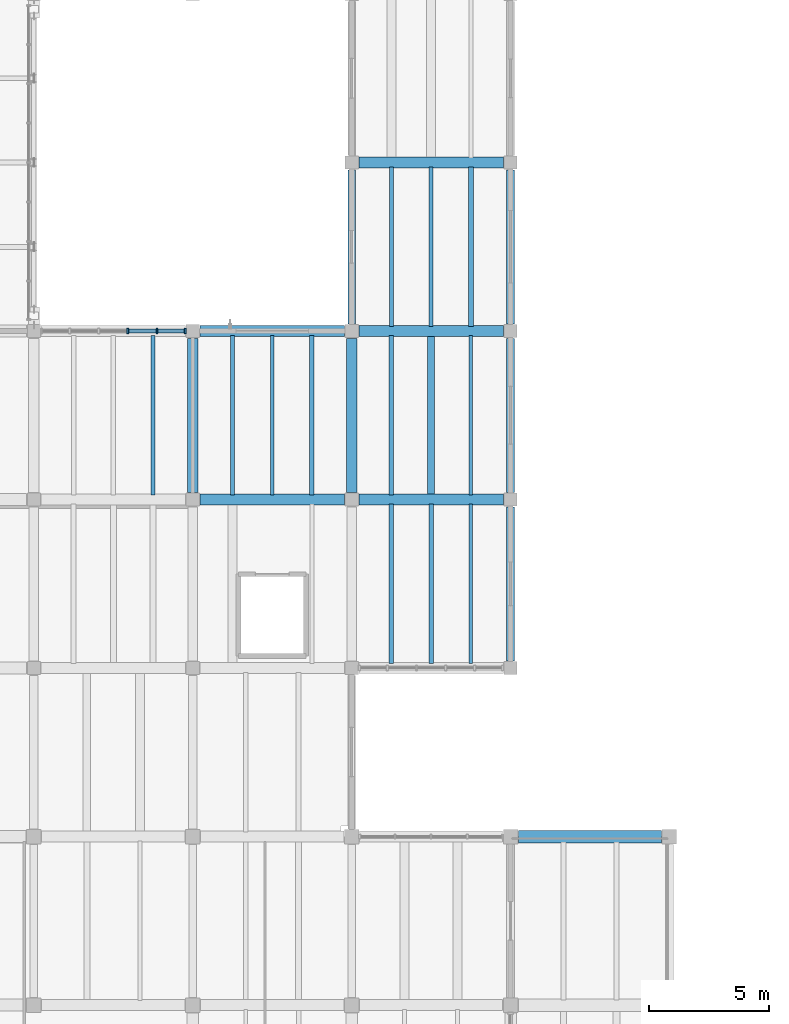
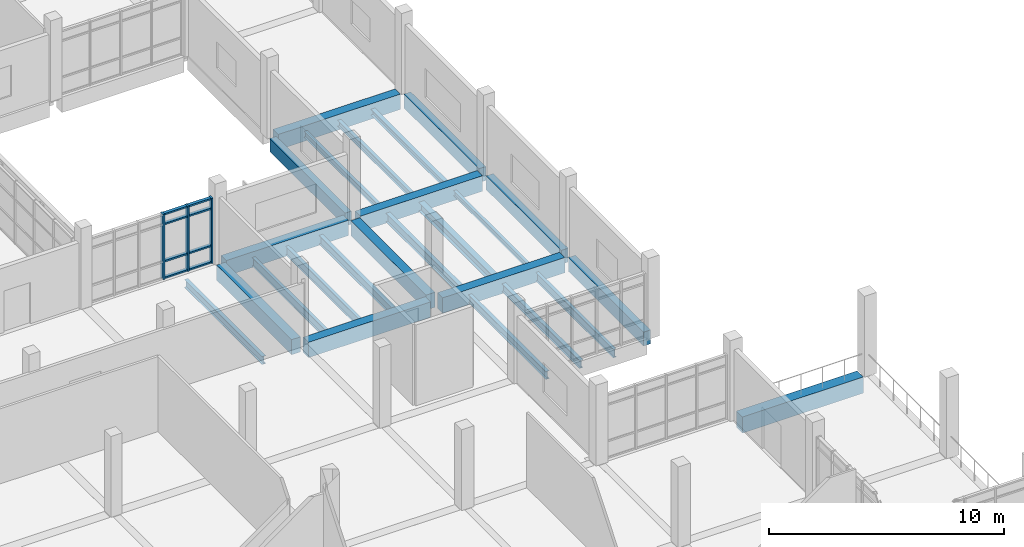
# One storey, part 23 of 67: 25 beams, 11 members, 1 element without a shape of its own.
"""IFC4 building model written with IfcOpenShell, lengths in metres."""

from ifc_helpers import new_model, si_unit, direction, frame, origin, origin_2d, place, context, subcontext, project, spatial, rectangle, i_section, extrude, material, material_profile, profile_set, type_object, element, aggregate, save


model = new_model("IFC4")

# Units and contexts
model_context = context("Model", 3, precision=1e-05, world=origin(), true_north=direction((0.0, 1.0)))
body_context = subcontext(model_context, "Body", "Model", "MODEL_VIEW")
ifc_project = project(units=[si_unit("LENGTHUNIT", "METRE"), si_unit("AREAUNIT", "SQUARE_METRE"), si_unit("VOLUMEUNIT", "CUBIC_METRE"), si_unit("PLANEANGLEUNIT", "RADIAN"), si_unit("MASSUNIT", "GRAM", prefix="KILO")], contexts=[model_context])

# Site, building, storey
site_placement = place(None, origin())
site = spatial("IfcSite", under=ifc_project, at=site_placement, CompositionType="ELEMENT")
building_placement = place(site_placement, origin())
building = spatial("IfcBuilding", under=site, at=building_placement, Name="Ciguamira Faculty of Natural Sciences", CompositionType="ELEMENT")
storey_placement = place(building_placement, frame((0.0, 0.0, 8.39990234375)))
storey = spatial("IfcBuildingStorey", under=building, at=storey_placement, Name="L02", CompositionType="ELEMENT", Elevation=8.39990234375)

# Curtain wall, members
ifc_material_1 = material(Name="Anodized aluminium curtain wall", Category="aluminium")
curtain_wall_type = type_object("IfcCurtainWallType", Name="CurtainWall_CW-06", PredefinedType="USERDEFINED", material=ifc_material_1)
curtain_wall_placement = place(storey_placement, origin())
curtain_wall = element("IfcCurtainWall", 1, at=curtain_wall_placement, inside=storey, type_object=curtain_wall_type, Name="L02 unitised curtain wall 0066", ObjectType="UNITISED CURTAIN WALL", PredefinedType="USERDEFINED")
ifc_material_2 = material(Name="Anodized aluminium mullion", Category="aluminium")
ifc_material_profile_1 = material_profile(ifc_material_2, rectangle(XDim=0.080078125, YDim=0.219970703125, at=origin_2d()), Name="ALU-MUL-80X220")
ifc_profile_set_1 = profile_set([ifc_material_profile_1], Name="Anodized aluminium mullion")
member_type_1 = type_object("IfcMemberType", Name="CWMullion_CWM-03", PredefinedType="MULLION", material=ifc_profile_set_1)
member_1_placement = place(storey_placement, frame((100.804931640625, 59.0, 0.0), z_axis=(0.0, 0.0, 1.0), x_axis=(1.0, 0.0, 0.0)))
member_1 = element("IfcMember", 2, at=member_1_placement, type_object=member_type_1, Name="CW-06 mullion 4", PredefinedType="MULLION", context=body_context, shape_type="SweptSolid", body=[
    extrude(rectangle(XDim=0.080078125, YDim=0.219970703125, at=origin_2d()), origin(), (0.0, 0.0, 1.0), 3.385009765625),
])
member_2_placement = place(storey_placement, frame((102.014892578125, 59.0, 0.0), z_axis=(0.0, 0.0, 1.0), x_axis=(1.0, 0.0, 0.0)))
member_2 = element("IfcMember", 3, at=member_2_placement, type_object=member_type_1, Name="CW-06 mullion 5", PredefinedType="MULLION", context=body_context, shape_type="SweptSolid", body=[
    extrude(rectangle(XDim=0.080078125, YDim=0.219970703125, at=origin_2d()), origin(), (0.0, 0.0, 1.0), 3.385009765625),
])
member_3_placement = place(storey_placement, frame((103.18505859375, 59.0, 0.0), z_axis=(0.0, 0.0, 1.0), x_axis=(1.0, 0.0, 0.0)))
member_3 = element("IfcMember", 4, at=member_3_placement, type_object=member_type_1, Name="CW-06 mullion 6", PredefinedType="MULLION", context=body_context, shape_type="SweptSolid", body=[
    extrude(rectangle(XDim=0.080078125, YDim=0.219970703125, at=origin_2d()), origin(), (0.0, 0.0, 1.0), 3.385009765625),
])
ifc_material_3 = material(Name="Anodized aluminium transom", Category="aluminium")
ifc_material_profile_2 = material_profile(ifc_material_3, rectangle(XDim=0.080078125, YDim=0.159912109375, at=origin_2d()), Name="ALU-TRN-80X160")
ifc_profile_set_2 = profile_set([ifc_material_profile_2], Name="Anodized aluminium transom")
member_type_2 = type_object("IfcMemberType", Name="CWTransom_CWT-03", PredefinedType="USERDEFINED", material=ifc_profile_set_2)
member_4_placement = place(storey_placement, frame((100.844970703125, 59.0, 0.0400390625), z_axis=(1.0, 0.0, 0.0), x_axis=(0.0, 0.0, 1.0)))
member_4 = element("IfcMember", 5, at=member_4_placement, type_object=member_type_2, Name="CW-06 transom 4.1", ObjectType="TRANSOM", PredefinedType="USERDEFINED", context=body_context, shape_type="SweptSolid", body=[
    extrude(rectangle(XDim=0.080078125, YDim=0.159912109375, at=origin_2d()), origin(), (0.0, 0.0, 1.0), 1.130126953125),
])
member_5_placement = place(storey_placement, frame((100.844970703125, 59.0, 0.900146484375), z_axis=(1.0, 0.0, 0.0), x_axis=(0.0, 0.0, 1.0)))
member_5 = element("IfcMember", 6, at=member_5_placement, type_object=member_type_2, Name="CW-06 transom 4.2", ObjectType="TRANSOM", PredefinedType="USERDEFINED", context=body_context, shape_type="SweptSolid", body=[
    extrude(rectangle(XDim=0.080078125, YDim=0.159912109375, at=origin_2d()), origin(), (0.0, 0.0, 1.0), 1.130126953125),
])
member_6_placement = place(storey_placement, frame((100.844970703125, 59.0, 2.835205078125), z_axis=(1.0, 0.0, 0.0), x_axis=(0.0, 0.0, 1.0)))
member_6 = element("IfcMember", 7, at=member_6_placement, type_object=member_type_2, Name="CW-06 transom 4.3", ObjectType="TRANSOM", PredefinedType="USERDEFINED", context=body_context, shape_type="SweptSolid", body=[
    extrude(rectangle(XDim=0.080078125, YDim=0.159912109375, at=origin_2d()), origin(), (0.0, 0.0, 1.0), 1.130126953125),
])
member_7_placement = place(storey_placement, frame((100.844970703125, 59.0, 3.34521484375), z_axis=(1.0, 0.0, 0.0), x_axis=(0.0, 0.0, 1.0)))
member_7 = element("IfcMember", 8, at=member_7_placement, type_object=member_type_2, Name="CW-06 transom 4.4", ObjectType="TRANSOM", PredefinedType="USERDEFINED", context=body_context, shape_type="SweptSolid", body=[
    extrude(rectangle(XDim=0.080078125, YDim=0.159912109375, at=origin_2d()), origin(), (0.0, 0.0, 1.0), 1.130126953125),
])
member_8_placement = place(storey_placement, frame((102.054931640625, 59.0, 0.0400390625), z_axis=(1.0, 0.0, 0.0), x_axis=(0.0, 0.0, 1.0)))
member_8 = element("IfcMember", 9, at=member_8_placement, type_object=member_type_2, Name="CW-06 transom 5.1", ObjectType="TRANSOM", PredefinedType="USERDEFINED", context=body_context, shape_type="SweptSolid", body=[
    extrude(rectangle(XDim=0.080078125, YDim=0.159912109375, at=origin_2d()), origin(), (0.0, 0.0, 1.0), 1.090087890625),
])
member_9_placement = place(storey_placement, frame((102.054931640625, 59.0, 0.900146484375), z_axis=(1.0, 0.0, 0.0), x_axis=(0.0, 0.0, 1.0)))
member_9 = element("IfcMember", 10, at=member_9_placement, type_object=member_type_2, Name="CW-06 transom 5.2", ObjectType="TRANSOM", PredefinedType="USERDEFINED", context=body_context, shape_type="SweptSolid", body=[
    extrude(rectangle(XDim=0.080078125, YDim=0.159912109375, at=origin_2d()), origin(), (0.0, 0.0, 1.0), 1.090087890625),
])
member_10_placement = place(storey_placement, frame((102.054931640625, 59.0, 2.835205078125), z_axis=(1.0, 0.0, 0.0), x_axis=(0.0, 0.0, 1.0)))
member_10 = element("IfcMember", 11, at=member_10_placement, type_object=member_type_2, Name="CW-06 transom 5.3", ObjectType="TRANSOM", PredefinedType="USERDEFINED", context=body_context, shape_type="SweptSolid", body=[
    extrude(rectangle(XDim=0.080078125, YDim=0.159912109375, at=origin_2d()), origin(), (0.0, 0.0, 1.0), 1.090087890625),
])
member_11_placement = place(storey_placement, frame((102.054931640625, 59.0, 3.34521484375), z_axis=(1.0, 0.0, 0.0), x_axis=(0.0, 0.0, 1.0)))
member_11 = element("IfcMember", 12, at=member_11_placement, type_object=member_type_2, Name="CW-06 transom 5.4", ObjectType="TRANSOM", PredefinedType="USERDEFINED", context=body_context, shape_type="SweptSolid", body=[
    extrude(rectangle(XDim=0.080078125, YDim=0.159912109375, at=origin_2d()), origin(), (0.0, 0.0, 1.0), 1.090087890625),
])
aggregate(curtain_wall, [member_1, member_2, member_3, member_4, member_5, member_6, member_7, member_8, member_9, member_10, member_11])

# Beams
ifc_material_4 = material(Name="Concrete C40/50", Category="concrete")
ifc_material_profile_3 = material_profile(ifc_material_4, rectangle(XDim=0.449951171875, YDim=0.800048828125, at=origin_2d()), Name="RC-BM-450X800")
ifc_profile_set_3 = profile_set([ifc_material_profile_3], Name="Concrete C40/50")
beam_type_1 = type_object("IfcBeamType", Name="RCBeam_BG-05_RC-BM-450X800", PredefinedType="BEAM", material=ifc_profile_set_3)
for number, where, z_axis, x_axis, name in (
    (13, (103.800048828125, 52.0, -0.39990234375), (1.0, 0.0, 0.0), (0.0, 1.0, 0.0), "L02 RC girder EW-0799"),
    (14, (110.39990234375, 52.0, -0.39990234375), (1.0, 0.0, 0.0), (0.0, 1.0, 0.0), "L02 RC girder EW-0800"),
    (15, (103.800048828125, 59.0, -0.39990234375), (1.0, 0.0, 0.0), (0.0, 1.0, 0.0), "L02 RC girder EW-0808"),
    (16, (110.39990234375, 59.0, -0.39990234375), (1.0, 0.0, 0.0), (0.0, 1.0, 0.0), "L02 RC girder EW-0809"),
    (17, (110.39990234375, 66.0, -0.39990234375), (1.0, 0.0, 0.0), (0.0, 1.0, 0.0), "L02 RC girder EW-0811"),
):
    element("IfcBeam", number, at=place(storey_placement, frame(where, z_axis=z_axis, x_axis=x_axis)), inside=storey, type_object=beam_type_1, Name=name, PredefinedType="BEAM", context=body_context, shape_type="SweptSolid", body=[
        extrude(rectangle(XDim=0.449951171875, YDim=0.800048828125, at=origin_2d()), origin(), (0.0, 0.0, 1.0), 6.0),
    ])
ifc_material_profile_4 = material_profile(ifc_material_4, rectangle(XDim=0.43994140625, YDim=0.780029296875, at=origin_2d()), Name="RC-BM-440X780")
ifc_profile_set_4 = profile_set([ifc_material_profile_4], Name="Concrete C40/50")
beam_type_2 = type_object("IfcBeamType", Name="RCBeam_BG-06_RC-BM-440X780", PredefinedType="BEAM", material=ifc_profile_set_4)
for number, where, z_axis, x_axis, name in (
    (18, (103.5, 52.300048828125, -0.389892578125), (0.0, 1.0, 0.0), (-1.0, 0.0, 0.0), "L02 girder NS-0981"),
    (19, (110.10009765625, 52.300048828125, -0.389892578125), (0.0, 1.0, 0.0), (-1.0, 0.0, 0.0), "L02 girder NS-0991"),
):
    element("IfcBeam", number, at=place(storey_placement, frame(where, z_axis=z_axis, x_axis=x_axis)), inside=storey, type_object=beam_type_2, Name=name, PredefinedType="BEAM", context=body_context, shape_type="SweptSolid", body=[
        extrude(rectangle(XDim=0.43994140625, YDim=0.780029296875, at=origin_2d()), origin(), (0.0, 0.0, 1.0), 6.39990234375),
    ])
ifc_material_5 = material(Name="Precast concrete C40/50", Category="concrete")
ifc_material_profile_5 = material_profile(ifc_material_5, rectangle(XDim=0.320068359375, YDim=0.679931640625, at=origin_2d()), Name="RC-SP-320X680")
ifc_profile_set_5 = profile_set([ifc_material_profile_5], Name="Precast concrete C40/50")
beam_type_3 = type_object("IfcBeamType", Name="RCBeam_SP-02_RC-SP-320X680", PredefinedType="SPANDREL", material=ifc_profile_set_5)
beam_1_placement = place(storey_placement, frame((110.10009765625, 59.300048828125, -0.33984375), z_axis=(0.0, 1.0, 0.0), x_axis=(-1.0, 0.0, 0.0)))
element("IfcBeam", 20, at=beam_1_placement, inside=storey, type_object=beam_type_3, Name="L02 girder NS-0992", PredefinedType="SPANDREL", context=body_context, shape_type="SweptSolid", body=[
    extrude(rectangle(XDim=0.320068359375, YDim=0.679931640625, at=origin_2d()), origin(), (0.0, 0.0, 1.0), 6.39990234375),
])
ifc_material_profile_6 = material_profile(ifc_material_5, rectangle(XDim=0.340087890625, YDim=0.719970703125, at=origin_2d()), Name="RC-SP-340X720")
ifc_profile_set_6 = profile_set([ifc_material_profile_6], Name="Precast concrete C40/50")
beam_type_4 = type_object("IfcBeamType", Name="RCBeam_SP-03_RC-SP-340X720", PredefinedType="SPANDREL", material=ifc_profile_set_6)
for number, where, z_axis, x_axis, name in (
    (21, (116.699951171875, 45.300048828125, -0.35986328125), (0.0, 1.0, 0.0), (-1.0, 0.0, 0.0), "L02 girder NS-1002"),
    (22, (116.699951171875, 52.300048828125, -0.35986328125), (0.0, 1.0, 0.0), (-1.0, 0.0, 0.0), "L02 girder NS-1003"),
    (23, (116.699951171875, 59.300048828125, -0.35986328125), (0.0, 1.0, 0.0), (-1.0, 0.0, 0.0), "L02 girder NS-1004"),
):
    element("IfcBeam", number, at=place(storey_placement, frame(where, z_axis=z_axis, x_axis=x_axis)), inside=storey, type_object=beam_type_4, Name=name, PredefinedType="SPANDREL", context=body_context, shape_type="SweptSolid", body=[
        extrude(rectangle(XDim=0.340087890625, YDim=0.719970703125, at=origin_2d()), origin(), (0.0, 0.0, 1.0), 6.39990234375),
    ])
ifc_material_profile_7 = material_profile(ifc_material_4, rectangle(XDim=0.52001953125, YDim=0.840087890625, at=origin_2d()), Name="RC-TB-520X840")
ifc_profile_set_7 = profile_set([ifc_material_profile_7], Name="Concrete C40/50")
beam_type_5 = type_object("IfcBeamType", Name="RCBeam_TB-02_RC-TB-520X840", PredefinedType="T_BEAM", material=ifc_profile_set_7)
beam_2_placement = place(storey_placement, frame((117.02490234375, 38.0, -0.419921875), z_axis=(1.0, 0.0, 0.0), x_axis=(0.0, 1.0, 0.0)))
element("IfcBeam", 24, at=beam_2_placement, inside=storey, type_object=beam_type_5, Name="L02 RC girder EW-0782", PredefinedType="T_BEAM", context=body_context, shape_type="SweptSolid", body=[
    extrude(rectangle(XDim=0.52001953125, YDim=0.840087890625, at=origin_2d()), origin(), (0.0, 0.0, 1.0), 5.9501953125),
])
ifc_material_6 = material(Name="Steel ASTM A992 Grade 50", Category="steel")
ifc_material_profile_8 = material_profile(ifc_material_6, i_section(OverallWidth=0.14599609375, OverallDepth=0.259033203125, WebThickness=0.006103515625, FlangeThickness=0.009033203125, at=origin_2d()), Name="W10X22")
ifc_profile_set_8 = profile_set([ifc_material_profile_8], Name="Steel ASTM A992 Grade 50")
beam_type_6 = type_object("IfcBeamType", Name="SteelJoist_SJ-01_W10X22", PredefinedType="JOIST", material=ifc_profile_set_8)
beam_3_placement = place(storey_placement, frame((115.050048828125, 52.18505859375, -0.409423828125), z_axis=(0.0, 1.0, 0.0), x_axis=(-1.0, 0.0, 0.0)))
element("IfcBeam", 25, at=beam_3_placement, inside=storey, type_object=beam_type_6, Name="L02 composite steel joist 00930", PredefinedType="JOIST", context=body_context, shape_type="SweptSolid", body=[
    extrude(i_section(OverallWidth=0.14599609375, OverallDepth=0.259033203125, WebThickness=0.006103515625, FlangeThickness=0.009033203125, at=origin_2d()), origin(), (0.0, 0.0, 1.0), 6.6298828125),
])
ifc_material_profile_9 = material_profile(ifc_material_6, i_section(OverallWidth=0.164794921875, OverallDepth=0.309814453125, WebThickness=0.005859375, FlangeThickness=0.009765625, at=origin_2d()), Name="W12X26")
ifc_profile_set_9 = profile_set([ifc_material_profile_9], Name="Steel ASTM A992 Grade 50")
beam_type_7 = type_object("IfcBeamType", Name="SteelJoist_SJ-04_W12X26", PredefinedType="JOIST", material=ifc_profile_set_9)
beam_4_placement = place(storey_placement, frame((111.75, 59.18505859375, -0.434814453125), z_axis=(0.0, 1.0, 0.0), x_axis=(-1.0, 0.0, 0.0)))
element("IfcBeam", 26, at=beam_4_placement, inside=storey, type_object=beam_type_7, Name="L02 composite steel joist 00931", PredefinedType="JOIST", context=body_context, shape_type="SweptSolid", body=[
    extrude(i_section(OverallWidth=0.164794921875, OverallDepth=0.309814453125, WebThickness=0.005859375, FlangeThickness=0.009765625, at=origin_2d()), origin(), (0.0, 0.0, 1.0), 6.6298828125),
])
ifc_material_profile_10 = material_profile(ifc_material_6, i_section(OverallWidth=0.16650390625, OverallDepth=0.3173828125, WebThickness=0.007568359375, FlangeThickness=0.01318359375, at=origin_2d()), Name="W12X35")
ifc_profile_set_10 = profile_set([ifc_material_profile_10], Name="Steel ASTM A992 Grade 50")
beam_type_8 = type_object("IfcBeamType", Name="SteelJoist_SJ-05_W12X35", PredefinedType="JOIST", material=ifc_profile_set_10)
beam_5_placement = place(storey_placement, frame((113.39990234375, 59.18505859375, -0.438720703125), z_axis=(0.0, 1.0, 0.0), x_axis=(-1.0, 0.0, 0.0)))
element("IfcBeam", 27, at=beam_5_placement, inside=storey, type_object=beam_type_8, Name="L02 composite steel joist 00932", PredefinedType="JOIST", context=body_context, shape_type="SweptSolid", body=[
    extrude(i_section(OverallWidth=0.16650390625, OverallDepth=0.3173828125, WebThickness=0.007568359375, FlangeThickness=0.01318359375, at=origin_2d()), origin(), (0.0, 0.0, 1.0), 6.6298828125),
])
ifc_material_profile_11 = material_profile(ifc_material_6, i_section(OverallWidth=0.20458984375, OverallDepth=0.307373046875, WebThickness=0.008544921875, FlangeThickness=0.0146484375, at=origin_2d()), Name="W12X45")
ifc_profile_set_11 = profile_set([ifc_material_profile_11], Name="Steel ASTM A992 Grade 50")
beam_type_9 = type_object("IfcBeamType", Name="SteelJoist_SJ-06_W12X45", PredefinedType="JOIST", material=ifc_profile_set_11)
beam_6_placement = place(storey_placement, frame((115.050048828125, 59.18505859375, -0.43359375), z_axis=(0.0, 1.0, 0.0), x_axis=(-1.0, 0.0, 0.0)))
element("IfcBeam", 28, at=beam_6_placement, inside=storey, type_object=beam_type_9, Name="L02 composite steel joist 00933", PredefinedType="JOIST", context=body_context, shape_type="SweptSolid", body=[
    extrude(i_section(OverallWidth=0.20458984375, OverallDepth=0.307373046875, WebThickness=0.008544921875, FlangeThickness=0.0146484375, at=origin_2d()), origin(), (0.0, 0.0, 1.0), 6.6298828125),
])
ifc_material_profile_12 = material_profile(ifc_material_6, i_section(OverallWidth=0.1787109375, OverallDepth=0.408935546875, WebThickness=0.0087890625, FlangeThickness=0.014404296875, at=origin_2d()), Name="W16X45")
ifc_profile_set_12 = profile_set([ifc_material_profile_12], Name="Steel ASTM A992 Grade 50")
beam_type_10 = type_object("IfcBeamType", Name="SteelJoist_SJ-19_W16X45", PredefinedType="JOIST", material=ifc_profile_set_12)
beam_7_placement = place(storey_placement, frame((111.75, 45.18505859375, -0.484375), z_axis=(0.0, 1.0, 0.0), x_axis=(-1.0, 0.0, 0.0)))
element("IfcBeam", 29, at=beam_7_placement, inside=storey, type_object=beam_type_10, Name="L02 composite steel joist 00925", PredefinedType="JOIST", context=body_context, shape_type="SweptSolid", body=[
    extrude(i_section(OverallWidth=0.1787109375, OverallDepth=0.408935546875, WebThickness=0.0087890625, FlangeThickness=0.014404296875, at=origin_2d()), origin(), (0.0, 0.0, 1.0), 6.6298828125),
])
ifc_material_profile_13 = material_profile(ifc_material_6, i_section(OverallWidth=0.180908203125, OverallDepth=0.41650390625, WebThickness=0.010986328125, FlangeThickness=0.01806640625, at=origin_2d()), Name="W16X57")
ifc_profile_set_13 = profile_set([ifc_material_profile_13], Name="Steel ASTM A992 Grade 50")
beam_type_11 = type_object("IfcBeamType", Name="SteelJoist_SJ-20_W16X57", PredefinedType="JOIST", material=ifc_profile_set_13)
beam_8_placement = place(storey_placement, frame((101.85009765625, 52.18994140625, -0.48828125), z_axis=(0.0, 1.0, 0.0), x_axis=(-1.0, 0.0, 0.0)))
element("IfcBeam", 30, at=beam_8_placement, inside=storey, type_object=beam_type_11, Name="L02 composite steel joist 00878", PredefinedType="JOIST", context=body_context, shape_type="SweptSolid", body=[
    extrude(i_section(OverallWidth=0.180908203125, OverallDepth=0.41650390625, WebThickness=0.010986328125, FlangeThickness=0.01806640625, at=origin_2d()), origin(), (0.0, 0.0, 1.0), 6.6201171875),
])
beam_9_placement = place(storey_placement, frame((113.39990234375, 45.18505859375, -0.48828125), z_axis=(0.0, 1.0, 0.0), x_axis=(-1.0, 0.0, 0.0)))
element("IfcBeam", 31, at=beam_9_placement, inside=storey, type_object=beam_type_11, Name="L02 composite steel joist 00926", PredefinedType="JOIST", context=body_context, shape_type="SweptSolid", body=[
    extrude(i_section(OverallWidth=0.180908203125, OverallDepth=0.41650390625, WebThickness=0.010986328125, FlangeThickness=0.01806640625, at=origin_2d()), origin(), (0.0, 0.0, 1.0), 6.6298828125),
])
ifc_material_profile_14 = material_profile(ifc_material_6, i_section(OverallWidth=0.15234375, OverallDepth=0.449462890625, WebThickness=0.007568359375, FlangeThickness=0.0107421875, at=origin_2d()), Name="W18X35")
ifc_profile_set_14 = profile_set([ifc_material_profile_14], Name="Steel ASTM A992 Grade 50")
beam_type_12 = type_object("IfcBeamType", Name="SteelJoist_SJ-21_W18X35", PredefinedType="JOIST", material=ifc_profile_set_14)
for number, where, z_axis, x_axis, name in (
    (32, (105.14990234375, 52.18505859375, -0.504638671875), (0.0, 1.0, 0.0), (-1.0, 0.0, 0.0), "L02 composite steel joist 00904"),
    (33, (115.050048828125, 45.18505859375, -0.504638671875), (0.0, 1.0, 0.0), (-1.0, 0.0, 0.0), "L02 composite steel joist 00927"),
):
    element("IfcBeam", number, at=place(storey_placement, frame(where, z_axis=z_axis, x_axis=x_axis)), inside=storey, type_object=beam_type_12, Name=name, PredefinedType="JOIST", context=body_context, shape_type="SweptSolid", body=[
        extrude(i_section(OverallWidth=0.15234375, OverallDepth=0.449462890625, WebThickness=0.007568359375, FlangeThickness=0.0107421875, at=origin_2d()), origin(), (0.0, 0.0, 1.0), 6.6298828125),
    ])
ifc_material_profile_15 = material_profile(ifc_material_6, i_section(OverallWidth=0.15283203125, OverallDepth=0.45458984375, WebThickness=0.008056640625, FlangeThickness=0.013427734375, at=origin_2d()), Name="W18X40")
ifc_profile_set_15 = profile_set([ifc_material_profile_15], Name="Steel ASTM A992 Grade 50")
beam_type_13 = type_object("IfcBeamType", Name="SteelJoist_SJ-22_W18X40", PredefinedType="JOIST", material=ifc_profile_set_15)
beam_10_placement = place(storey_placement, frame((106.800048828125, 52.18505859375, -0.50732421875), z_axis=(0.0, 1.0, 0.0), x_axis=(-1.0, 0.0, 0.0)))
element("IfcBeam", 34, at=beam_10_placement, inside=storey, type_object=beam_type_13, Name="L02 composite steel joist 00905", PredefinedType="JOIST", context=body_context, shape_type="SweptSolid", body=[
    extrude(i_section(OverallWidth=0.15283203125, OverallDepth=0.45458984375, WebThickness=0.008056640625, FlangeThickness=0.013427734375, at=origin_2d()), origin(), (0.0, 0.0, 1.0), 6.6298828125),
])
ifc_material_profile_16 = material_profile(ifc_material_6, i_section(OverallWidth=0.1904296875, OverallDepth=0.457275390625, WebThickness=0.009033203125, FlangeThickness=0.014404296875, at=origin_2d()), Name="W18X50")
ifc_profile_set_16 = profile_set([ifc_material_profile_16], Name="Steel ASTM A992 Grade 50")
beam_type_14 = type_object("IfcBeamType", Name="SteelJoist_SJ-23_W18X50", PredefinedType="JOIST", material=ifc_profile_set_16)
beam_11_placement = place(storey_placement, frame((108.449951171875, 52.18505859375, -0.508544921875), z_axis=(0.0, 1.0, 0.0), x_axis=(-1.0, 0.0, 0.0)))
element("IfcBeam", 35, at=beam_11_placement, inside=storey, type_object=beam_type_14, Name="L02 composite steel joist 00906", PredefinedType="JOIST", context=body_context, shape_type="SweptSolid", body=[
    extrude(i_section(OverallWidth=0.1904296875, OverallDepth=0.457275390625, WebThickness=0.009033203125, FlangeThickness=0.014404296875, at=origin_2d()), origin(), (0.0, 0.0, 1.0), 6.6298828125),
])
ifc_material_profile_17 = material_profile(ifc_material_6, i_section(OverallWidth=0.19287109375, OverallDepth=0.46728515625, WebThickness=0.011474609375, FlangeThickness=0.01904296875, at=origin_2d()), Name="W18X65")
ifc_profile_set_17 = profile_set([ifc_material_profile_17], Name="Steel ASTM A992 Grade 50")
beam_type_15 = type_object("IfcBeamType", Name="SteelJoist_SJ-24_W18X65", PredefinedType="JOIST", material=ifc_profile_set_17)
beam_12_placement = place(storey_placement, frame((111.75, 52.18505859375, -0.513671875), z_axis=(0.0, 1.0, 0.0), x_axis=(-1.0, 0.0, 0.0)))
element("IfcBeam", 36, at=beam_12_placement, inside=storey, type_object=beam_type_15, Name="L02 composite steel joist 00928", PredefinedType="JOIST", context=body_context, shape_type="SweptSolid", body=[
    extrude(i_section(OverallWidth=0.19287109375, OverallDepth=0.46728515625, WebThickness=0.011474609375, FlangeThickness=0.01904296875, at=origin_2d()), origin(), (0.0, 0.0, 1.0), 6.6298828125),
])
ifc_material_profile_18 = material_profile(ifc_material_6, i_section(OverallWidth=0.279296875, OverallDepth=0.462158203125, WebThickness=0.0107421875, FlangeThickness=0.017333984375, at=origin_2d()), Name="W18X76")
ifc_profile_set_18 = profile_set([ifc_material_profile_18], Name="Steel ASTM A992 Grade 50")
beam_type_16 = type_object("IfcBeamType", Name="SteelJoist_SJ-25_W18X76", PredefinedType="JOIST", material=ifc_profile_set_18)
beam_13_placement = place(storey_placement, frame((113.39990234375, 52.18505859375, -0.510986328125), z_axis=(0.0, 1.0, 0.0), x_axis=(-1.0, 0.0, 0.0)))
element("IfcBeam", 37, at=beam_13_placement, inside=storey, type_object=beam_type_16, Name="L02 composite steel joist 00929", PredefinedType="JOIST", context=body_context, shape_type="SweptSolid", body=[
    extrude(i_section(OverallWidth=0.279296875, OverallDepth=0.462158203125, WebThickness=0.0107421875, FlangeThickness=0.017333984375, at=origin_2d()), origin(), (0.0, 0.0, 1.0), 6.6298828125),
])

save(model, "model.ifc")
